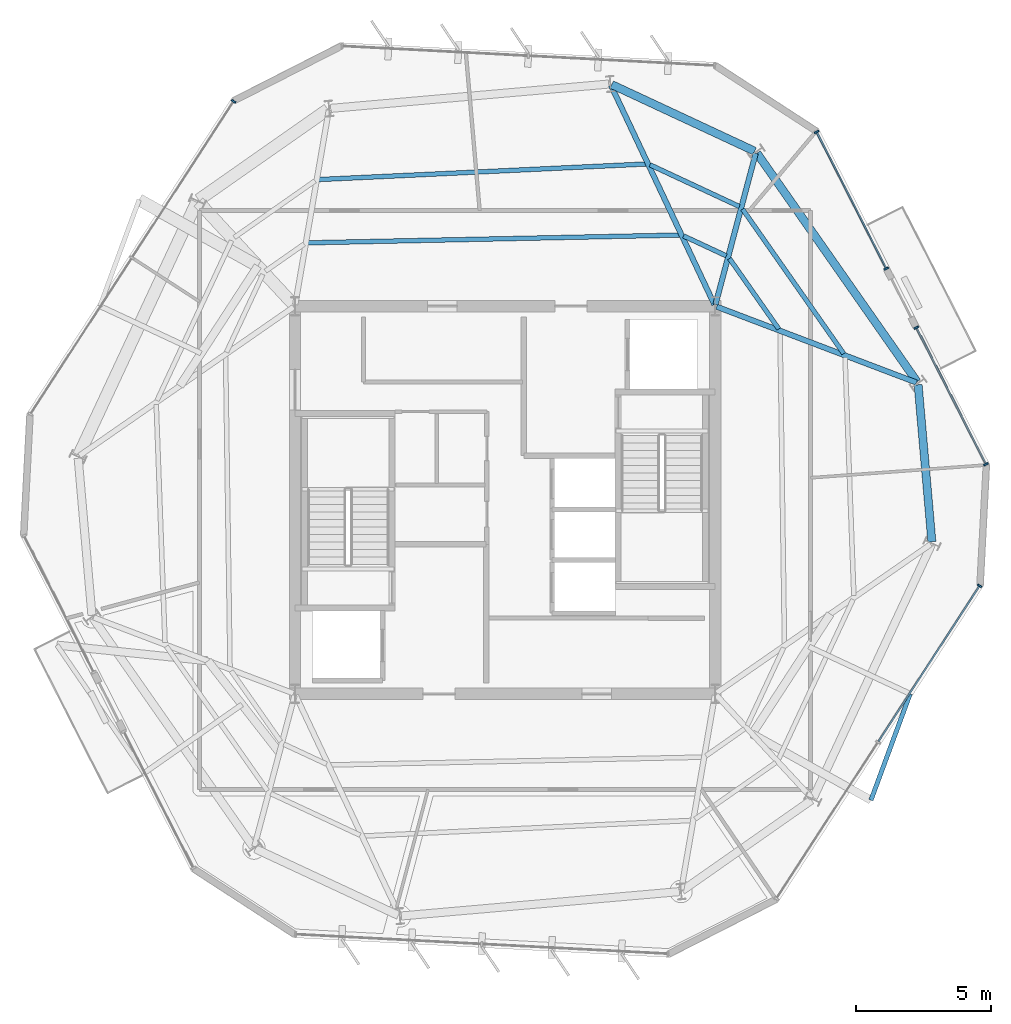
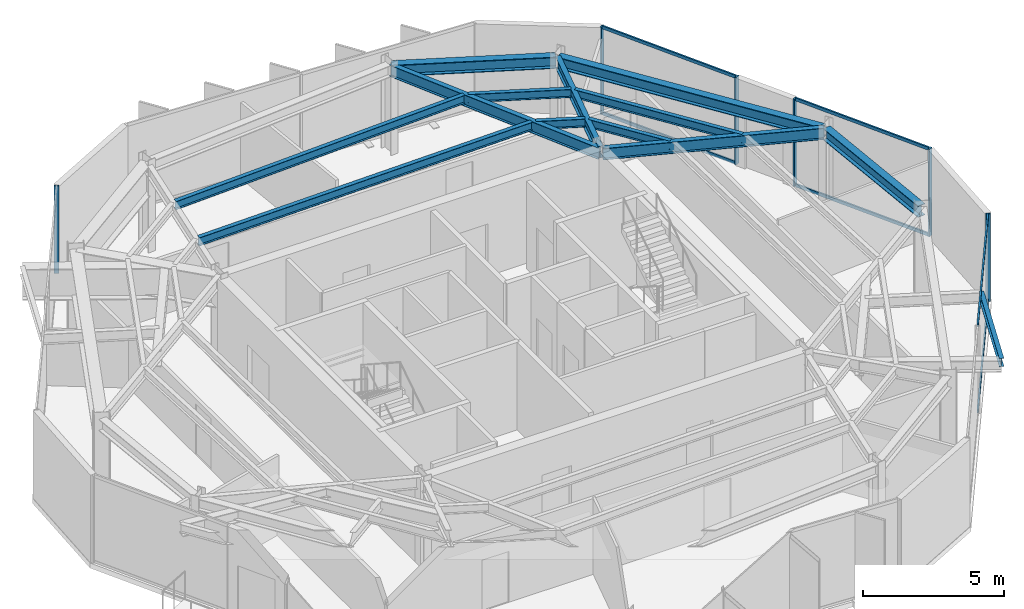
# One storey, part 5 of 11: 13 beams, 12 members, 4 elements without a shape of their own.
"""IFC4 building model written with IfcOpenShell, lengths in metres."""

from ifc_helpers import new_model, si_unit, direction, frame, origin, origin_2d, place, context, subcontext, project, spatial, rectangle, i_section, extrude, material, layer, layer_set, material_profile, profile_set, type_object, element, aggregate, save


model = new_model("IFC4")

# Units and contexts
model_context = context("Model", 3, precision=1e-05, world=origin(), true_north=direction((0.0, 1.0)))
body_context = subcontext(model_context, "Body", "Model", "MODEL_VIEW")
ifc_project = project(units=[si_unit("LENGTHUNIT", "METRE"), si_unit("AREAUNIT", "SQUARE_METRE"), si_unit("VOLUMEUNIT", "CUBIC_METRE"), si_unit("PLANEANGLEUNIT", "RADIAN"), si_unit("MASSUNIT", "GRAM", prefix="KILO")], contexts=[model_context])

# Site, building, storey
site_placement = place(None, origin())
site = spatial("IfcSite", under=ifc_project, at=site_placement, CompositionType="ELEMENT")
building_placement = place(site_placement, origin())
building = spatial("IfcBuilding", under=site, at=building_placement, Name="Kranzbogen Civic Tower", CompositionType="ELEMENT")
storey_placement = place(building_placement, frame((0.0, 0.0, 254.199951171875)))
storey = spatial("IfcBuildingStorey", under=building, at=storey_placement, Name="L61", CompositionType="ELEMENT", Elevation=254.199951171875)

# Curtain wall, member
ifc_material_1 = material(Name="Pale Anodised Aluminium", Category="aluminium")
ifc_layer = layer(ifc_material_1, 0.219970703125, Name="Pale Anodised Aluminium")
ifc_layer_set = layer_set([ifc_layer], Name="Pale Anodised Aluminium")
curtain_wall_type = type_object("IfcCurtainWallType", Name="Zone 4 Stick Curtain Wall System CW-05", PredefinedType="USERDEFINED", material=ifc_layer_set)
curtain_wall_1_placement = place(storey_placement, origin())
curtain_wall_1 = element("IfcCurtainWall", 1, at=curtain_wall_1_placement, inside=storey, type_object=curtain_wall_type, Name="L61 curtain wall CW-L61-F2", ObjectType="STICK CURTAIN WALL", PredefinedType="USERDEFINED")
ifc_material_profile_1 = material_profile(ifc_material_1, rectangle(XDim=0.06494140625, YDim=0.179931640625, at=origin_2d()), Name="ALU-M 65x180")
ifc_profile_set_1 = profile_set([ifc_material_profile_1], Name="Pale Anodised Aluminium")
member_type_1 = type_object("IfcMemberType", Name="Curtain Wall Mullion ALU-M 65x180", PredefinedType="MULLION", material=ifc_profile_set_1)
member_1_placement = place(storey_placement, frame((14.923583984375, 39.8017578125, 0.0), z_axis=(0.0, 0.0, 1.0), x_axis=(-0.544657317977, -0.838658694568, 0.0)))
member_1 = element("IfcMember", 2, at=member_1_placement, type_object=member_type_1, Name="CW-05 mullion 1", PredefinedType="MULLION", context=body_context, shape_type="SweptSolid", body=[
    extrude(rectangle(XDim=0.06494140625, YDim=0.179931640625, at=origin_2d()), origin(), (0.0, 0.0, 1.0), 3.780029296875),
])
aggregate(curtain_wall_1, [member_1])

curtain_wall_2_placement = place(storey_placement, origin())
curtain_wall_2 = element("IfcCurtainWall", 3, at=curtain_wall_2_placement, inside=storey, type_object=curtain_wall_type, Name="L61 curtain wall CW-L61-F5", ObjectType="STICK CURTAIN WALL", PredefinedType="USERDEFINED")
member_2_placement = place(storey_placement, frame((42.62060546875, 21.81494140625, 0.0), z_axis=(0.0, 0.0, 1.0), x_axis=(0.544657317977, 0.838658694568, 0.0)))
member_2 = element("IfcMember", 4, at=member_2_placement, type_object=member_type_1, Name="CW-05 mullion 3", PredefinedType="MULLION", context=body_context, shape_type="SweptSolid", body=[
    extrude(rectangle(XDim=0.06494140625, YDim=0.179931640625, at=origin_2d()), origin(), (0.0, 0.0, 1.0), 3.780029296875),
])

# Curtain wall, members
curtain_wall_3_placement = place(storey_placement, origin())
curtain_wall_3 = element("IfcCurtainWall", 5, at=curtain_wall_3_placement, inside=storey, type_object=curtain_wall_type, Name="L61 curtain wall CW-L61-F6-S1", ObjectType="STICK CURTAIN WALL", PredefinedType="USERDEFINED")
member_3_placement = place(storey_placement, frame((42.8564453125, 26.32568359375, 0.0), z_axis=(0.0, 0.0, 1.0), x_axis=(-0.454011672668, 0.890995735726, 0.0)))
member_3 = element("IfcMember", 6, at=member_3_placement, type_object=member_type_1, Name="CW-05 mullion 1", PredefinedType="MULLION", context=body_context, shape_type="SweptSolid", body=[
    extrude(rectangle(XDim=0.06494140625, YDim=0.179931640625, at=origin_2d()), origin(), (0.0, 0.0, 1.0), 3.780029296875),
])
member_4_placement = place(storey_placement, frame((40.2705078125, 31.400390625, 0.0), z_axis=(0.0, 0.0, 1.0), x_axis=(-0.454011672668, 0.890995735726, 0.0)))
member_4 = element("IfcMember", 7, at=member_4_placement, type_object=member_type_1, Name="CW-05 mullion 2", PredefinedType="MULLION", context=body_context, shape_type="SweptSolid", body=[
    extrude(rectangle(XDim=0.06494140625, YDim=0.179931640625, at=origin_2d()), origin(), (0.0, 0.0, 1.0), 3.780029296875),
])

curtain_wall_4_placement = place(storey_placement, origin())
curtain_wall_4 = element("IfcCurtainWall", 8, at=curtain_wall_4_placement, inside=storey, type_object=curtain_wall_type, Name="L61 curtain wall CW-L61-F6-S2", ObjectType="STICK CURTAIN WALL", PredefinedType="USERDEFINED")
member_5_placement = place(storey_placement, frame((39.154296875, 33.591796875, 0.0), z_axis=(0.0, 0.0, 1.0), x_axis=(-0.453941395905, 0.891031542138, 0.0)))
member_5 = element("IfcMember", 9, at=member_5_placement, type_object=member_type_1, Name="CW-05 mullion 1", PredefinedType="MULLION", context=body_context, shape_type="SweptSolid", body=[
    extrude(rectangle(XDim=0.06494140625, YDim=0.179931640625, at=origin_2d()), origin(), (0.0, 0.0, 1.0), 3.780029296875),
])
member_6_placement = place(storey_placement, frame((36.568603515625, 38.667236328125, 0.0), z_axis=(0.0, 0.0, 1.0), x_axis=(-0.453941395905, 0.891031542138, 0.0)))
member_6 = element("IfcMember", 10, at=member_6_placement, type_object=member_type_1, Name="CW-05 mullion 2", PredefinedType="MULLION", context=body_context, shape_type="SweptSolid", body=[
    extrude(rectangle(XDim=0.06494140625, YDim=0.179931640625, at=origin_2d()), origin(), (0.0, 0.0, 1.0), 3.780029296875),
])

# Member
ifc_material_profile_2 = material_profile(ifc_material_1, rectangle(XDim=0.06494140625, YDim=0.135009765625, at=origin_2d()), Name="ALU-T 65x135")
ifc_profile_set_2 = profile_set([ifc_material_profile_2], Name="Pale Anodised Aluminium")
member_type_2 = type_object("IfcMemberType", Name="Curtain Wall Transom ALU-T 65x135", PredefinedType="USERDEFINED", material=ifc_profile_set_2)
member_7_placement = place(storey_placement, frame((38.86474609375, 16.03173828125, 0.030029296875), z_axis=(0.544657090741, 0.838658842144, 0.0), x_axis=(-0.838658842144, 0.544657090741, 0.0)))
member_7 = element("IfcMember", 11, at=member_7_placement, type_object=member_type_2, Name="CW-05 transom 2.1", ObjectType="TRANSOM", PredefinedType="USERDEFINED", context=body_context, shape_type="SweptSolid", body=[
    extrude(rectangle(XDim=0.06494140625, YDim=0.135009765625, at=origin_2d()), origin(), (0.0, 0.0, 1.0), 6.86572265625),
])

member_8_placement = place(storey_placement, frame((38.86474609375, 16.03173828125, 3.75), z_axis=(0.544657090741, 0.838658842144, 0.0), x_axis=(-0.838658842144, 0.544657090741, 0.0)))
member_8 = element("IfcMember", 12, at=member_8_placement, type_object=member_type_2, Name="CW-05 transom 2.2", ObjectType="TRANSOM", PredefinedType="USERDEFINED", context=body_context, shape_type="SweptSolid", body=[
    extrude(rectangle(XDim=0.06494140625, YDim=0.135009765625, at=origin_2d()), origin(), (0.0, 0.0, 1.0), 6.86572265625),
])

aggregate(curtain_wall_2, [member_2, member_7, member_8])

member_9_placement = place(storey_placement, frame((42.8427734375, 26.3525390625, 0.030029296875), z_axis=(-0.454028319233, 0.890987253183, 0.0), x_axis=(-0.890987253183, -0.454028319233, 0.0)))
member_9 = element("IfcMember", 13, at=member_9_placement, type_object=member_type_2, Name="CW-05 transom 1.1", ObjectType="TRANSOM", PredefinedType="USERDEFINED", context=body_context, shape_type="SweptSolid", body=[
    extrude(rectangle(XDim=0.06494140625, YDim=0.135009765625, at=origin_2d()), origin(), (0.0, 0.0, 1.0), 5.63525390625),
])

member_10_placement = place(storey_placement, frame((42.8427734375, 26.3525390625, 3.75), z_axis=(-0.454028319233, 0.890987253183, 0.0), x_axis=(-0.890987253183, -0.454028319233, 0.0)))
member_10 = element("IfcMember", 14, at=member_10_placement, type_object=member_type_2, Name="CW-05 transom 1.2", ObjectType="TRANSOM", PredefinedType="USERDEFINED", context=body_context, shape_type="SweptSolid", body=[
    extrude(rectangle(XDim=0.06494140625, YDim=0.135009765625, at=origin_2d()), origin(), (0.0, 0.0, 1.0), 5.63525390625),
])

aggregate(curtain_wall_3, [member_3, member_4, member_9, member_10])

member_11_placement = place(storey_placement, frame((39.140869140625, 33.618408203125, 0.030029296875), z_axis=(-0.453940705303, 0.891031893968, 0.0), x_axis=(-0.891031893968, -0.453940705303, 0.0)))
member_11 = element("IfcMember", 15, at=member_11_placement, type_object=member_type_2, Name="CW-05 transom 1.1", ObjectType="TRANSOM", PredefinedType="USERDEFINED", context=body_context, shape_type="SweptSolid", body=[
    extrude(rectangle(XDim=0.06494140625, YDim=0.135009765625, at=origin_2d()), origin(), (0.0, 0.0, 1.0), 5.636474609375),
])

member_12_placement = place(storey_placement, frame((39.140869140625, 33.618408203125, 3.75), z_axis=(-0.453940705303, 0.891031893968, 0.0), x_axis=(-0.891031893968, -0.453940705303, 0.0)))
member_12 = element("IfcMember", 16, at=member_12_placement, type_object=member_type_2, Name="CW-05 transom 1.2", ObjectType="TRANSOM", PredefinedType="USERDEFINED", context=body_context, shape_type="SweptSolid", body=[
    extrude(rectangle(XDim=0.06494140625, YDim=0.135009765625, at=origin_2d()), origin(), (0.0, 0.0, 1.0), 5.636474609375),
])

aggregate(curtain_wall_4, [member_5, member_6, member_11, member_12])

# Beams
ifc_material_2 = material(Name="Steel S355", Category="steel")
ifc_material_profile_3 = material_profile(ifc_material_2, i_section(OverallWidth=0.300048828125, OverallDepth=0.5, WebThickness=0.014404296875, FlangeThickness=0.028076171875, at=origin_2d()), Name="HEB 500")
ifc_profile_set_3 = profile_set([ifc_material_profile_3], Name="Steel S355")
beam_type_1 = type_object("IfcBeamType", Name="Perimeter Tube Spandrel Beam HEB 500", PredefinedType="SPANDREL", material=ifc_profile_set_3)
beam_1_placement = place(storey_placement, frame((40.85009765625, 23.449951171875, 3.530029296875), z_axis=(-0.087326362434, 0.99617975608, 0.0), x_axis=(-0.99617975608, -0.087326362434, 0.0)))
element("IfcBeam", 17, at=beam_1_placement, inside=storey, type_object=beam_type_1, Name="L61 perimeter spandrel beam 06", PredefinedType="SPANDREL", context=body_context, shape_type="SweptSolid", body=[
    extrude(i_section(OverallWidth=0.300048828125, OverallDepth=0.5, WebThickness=0.014404296875, FlangeThickness=0.028076171875, at=origin_2d()), origin(), (0.0, 0.0, 1.0), 5.8515625),
])
beam_2_placement = place(storey_placement, frame((40.300048828125, 29.387939453125, 3.530029296875), z_axis=(-0.573577759301, 0.819151117948, 0.0), x_axis=(-0.819151117948, -0.573577759301, 0.0)))
element("IfcBeam", 18, at=beam_2_placement, inside=storey, type_object=beam_type_1, Name="L61 perimeter spandrel beam 07", PredefinedType="SPANDREL", context=body_context, shape_type="SweptSolid", body=[
    extrude(i_section(OverallWidth=0.300048828125, OverallDepth=0.5, WebThickness=0.014404296875, FlangeThickness=0.028076171875, at=origin_2d()), origin(), (0.0, 0.0, 1.0), 10.36328125),
])
beam_3_placement = place(storey_placement, frame((34.26806640625, 37.950927734375, 3.530029296875), z_axis=(-0.906289661556, 0.422657129784, 0.0), x_axis=(-0.422657129784, -0.906289661556, 0.0)))
element("IfcBeam", 19, at=beam_3_placement, inside=storey, type_object=beam_type_1, Name="L61 perimeter spandrel beam 08", PredefinedType="SPANDREL", context=body_context, shape_type="SweptSolid", body=[
    extrude(i_section(OverallWidth=0.300048828125, OverallDepth=0.5, WebThickness=0.014404296875, FlangeThickness=0.028076171875, at=origin_2d()), origin(), (0.0, 0.0, 1.0), 5.853759765625),
])
ifc_material_profile_4 = material_profile(ifc_material_2, i_section(OverallWidth=0.199951171875, OverallDepth=0.5, WebThickness=0.01025390625, FlangeThickness=0.01611328125, at=origin_2d()), Name="IPE 500")
ifc_profile_set_4 = profile_set([ifc_material_profile_4], Name="Steel S355")
beam_type_2 = type_object("IfcBeamType", Name="Radial Tower Floor Girder IPE 500", PredefinedType="BEAM", material=ifc_profile_set_4)
beam_4_placement = place(storey_placement, frame((40.278076171875, 29.360107421875, 3.530029296875), z_axis=(-0.934848709689, 0.355046320913, 0.0), x_axis=(-0.355046320913, -0.934848709689, 0.0)))
element("IfcBeam", 20, at=beam_4_placement, inside=storey, type_object=beam_type_2, Name="L61 radial floor girder 07", PredefinedType="BEAM", context=body_context, shape_type="SweptSolid", body=[
    extrude(i_section(OverallWidth=0.199951171875, OverallDepth=0.5, WebThickness=0.01025390625, FlangeThickness=0.01611328125, at=origin_2d()), origin(), (0.0, 0.0, 1.0), 7.939453125),
])
beam_5_placement = place(storey_placement, frame((34.306884765625, 37.867919921875, 3.530029296875), z_axis=(-0.257016017622, -0.966407143333, 0.0), x_axis=(0.966407143333, -0.257016017622, 0.0)))
element("IfcBeam", 21, at=beam_5_placement, inside=storey, type_object=beam_type_2, Name="L61 radial floor girder 08", PredefinedType="BEAM", context=body_context, shape_type="SweptSolid", body=[
    extrude(i_section(OverallWidth=0.199951171875, OverallDepth=0.5, WebThickness=0.01025390625, FlangeThickness=0.01611328125, at=origin_2d()), origin(), (0.0, 0.0, 1.0), 5.804931640625),
])
beam_6_placement = place(storey_placement, frame((28.93505859375, 40.39599609375, 3.530029296875), z_axis=(0.426460441273, -0.904506214478, 0.0), x_axis=(0.904506214478, 0.426460441273, 0.0)))
element("IfcBeam", 22, at=beam_6_placement, inside=storey, type_object=beam_type_2, Name="L61 radial floor girder 09", PredefinedType="BEAM", context=body_context, shape_type="SweptSolid", body=[
    extrude(i_section(OverallWidth=0.199951171875, OverallDepth=0.5, WebThickness=0.01025390625, FlangeThickness=0.01611328125, at=origin_2d()), origin(), (0.0, 0.0, 1.0), 9.001708984375),
])
ifc_material_profile_5 = material_profile(ifc_material_2, i_section(OverallWidth=0.169921875, OverallDepth=0.360107421875, WebThickness=0.008056640625, FlangeThickness=0.0126953125, at=origin_2d()), Name="IPE 360")
ifc_profile_set_5 = profile_set([ifc_material_profile_5], Name="Steel S355")
beam_type_3 = type_object("IfcBeamType", Name="Secondary Composite Floor Joist IPE 360", PredefinedType="JOIST", material=ifc_profile_set_5)
beam_7_placement = place(storey_placement, frame((37.575927734375, 30.43408203125, 3.60009765625), z_axis=(-0.573499872939, 0.819205649235, 0.0), x_axis=(-0.819205649235, -0.573499872939, 0.0)))
element("IfcBeam", 23, at=beam_7_placement, inside=storey, type_object=beam_type_3, Name="L61 secondary floor joist 1.07", PredefinedType="JOIST", context=body_context, shape_type="SweptSolid", body=[
    extrude(i_section(OverallWidth=0.169921875, OverallDepth=0.360107421875, WebThickness=0.008056640625, FlangeThickness=0.0126953125, at=origin_2d()), origin(), (0.0, 0.0, 1.0), 6.549072265625),
])
beam_8_placement = place(storey_placement, frame((35.1650390625, 31.35009765625, 3.60009765625), z_axis=(-0.573498248491, 0.819206786457, 0.0), x_axis=(-0.819206786457, -0.573498248491, 0.0)))
element("IfcBeam", 24, at=beam_8_placement, inside=storey, type_object=beam_type_3, Name="L61 secondary floor joist 2.07", PredefinedType="JOIST", context=body_context, shape_type="SweptSolid", body=[
    extrude(i_section(OverallWidth=0.169921875, OverallDepth=0.360107421875, WebThickness=0.008056640625, FlangeThickness=0.0126953125, at=origin_2d()), origin(), (0.0, 0.0, 1.0), 3.194580078125),
])
beam_9_placement = place(storey_placement, frame((33.701904296875, 35.89794921875, 3.60009765625), z_axis=(-0.906303996948, 0.422626389517, 0.0), x_axis=(-0.422626389517, -0.906303996948, 0.0)))
element("IfcBeam", 25, at=beam_9_placement, inside=storey, type_object=beam_type_3, Name="L61 secondary floor joist 1.08", PredefinedType="JOIST", context=body_context, shape_type="SweptSolid", body=[
    extrude(i_section(OverallWidth=0.169921875, OverallDepth=0.360107421875, WebThickness=0.008056640625, FlangeThickness=0.0126953125, at=origin_2d()), origin(), (0.0, 0.0, 1.0), 3.6630859375),
])
beam_10_placement = place(storey_placement, frame((33.215087890625, 34.06591796875, 3.60009765625), z_axis=(-0.906432174342, 0.422351409751, 0.0), x_axis=(-0.422351409751, -0.906432174342, 0.0)))
element("IfcBeam", 26, at=beam_10_placement, inside=storey, type_object=beam_type_3, Name="L61 secondary floor joist 2.08", PredefinedType="JOIST", context=body_context, shape_type="SweptSolid", body=[
    extrude(i_section(OverallWidth=0.169921875, OverallDepth=0.360107421875, WebThickness=0.008056640625, FlangeThickness=0.0126953125, at=origin_2d()), origin(), (0.0, 0.0, 1.0), 1.751953125),
])
beam_11_placement = place(storey_placement, frame((30.22998046875, 37.47607421875, 3.60009765625), z_axis=(-0.998871634781, -0.047491654324, 0.0), x_axis=(0.047491654324, -0.998871634781, 0.0)))
element("IfcBeam", 27, at=beam_11_placement, inside=storey, type_object=beam_type_3, Name="L61 secondary floor joist 1.09", PredefinedType="JOIST", context=body_context, shape_type="SweptSolid", body=[
    extrude(i_section(OverallWidth=0.169921875, OverallDepth=0.360107421875, WebThickness=0.008056640625, FlangeThickness=0.0126953125, at=origin_2d()), origin(), (0.0, 0.0, 1.0), 12.152587890625),
])
beam_12_placement = place(storey_placement, frame((31.47509765625, 34.837890625, 3.60009765625), z_axis=(-0.999780746893, -0.020939392104, 0.0), x_axis=(0.020939392104, -0.999780746893, 0.0)))
element("IfcBeam", 28, at=beam_12_placement, inside=storey, type_object=beam_type_3, Name="L61 secondary floor joist 2.09", PredefinedType="JOIST", context=body_context, shape_type="SweptSolid", body=[
    extrude(i_section(OverallWidth=0.169921875, OverallDepth=0.360107421875, WebThickness=0.008056640625, FlangeThickness=0.0126953125, at=origin_2d()), origin(), (0.0, 0.0, 1.0), 13.79296875),
])
beam_13_placement = place(storey_placement, frame((38.587890625, 13.85498046875, 3.570068359375), z_axis=(0.345896305228, 0.938272746076, 0.0), x_axis=(-0.938272746076, 0.345896305228, 0.0)))
element("IfcBeam", 29, at=beam_13_placement, inside=storey, type_object=beam_type_3, Name="L62 terrace outer edge trimmer L62-TB1", PredefinedType="JOIST", context=body_context, shape_type="SweptSolid", body=[
    extrude(i_section(OverallWidth=0.169921875, OverallDepth=0.360107421875, WebThickness=0.008056640625, FlangeThickness=0.0126953125, at=origin_2d()), origin(), (0.0, 0.0, 1.0), 4.206787109375),
])

save(model, "model.ifc")
